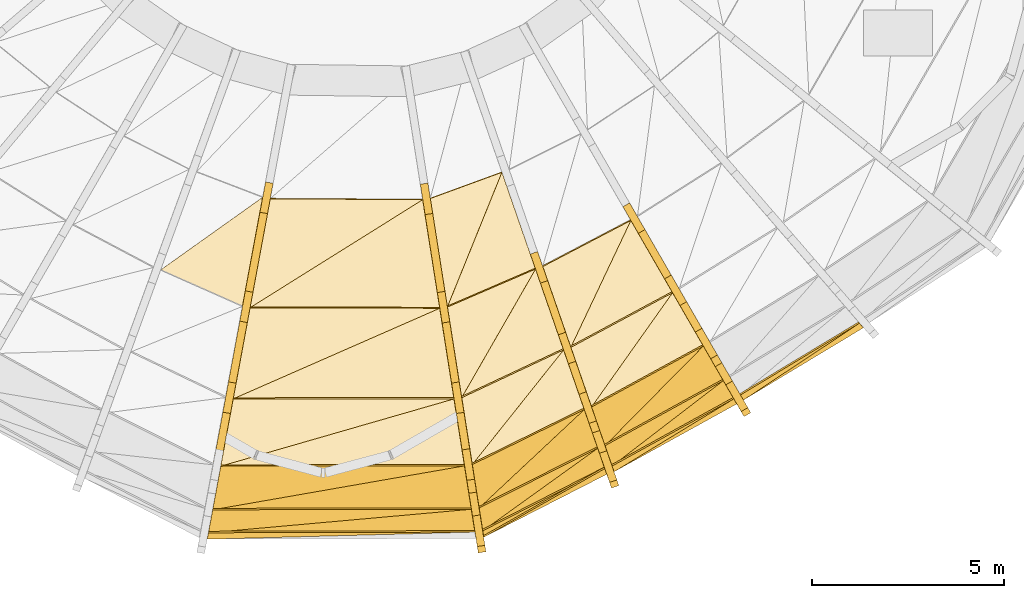
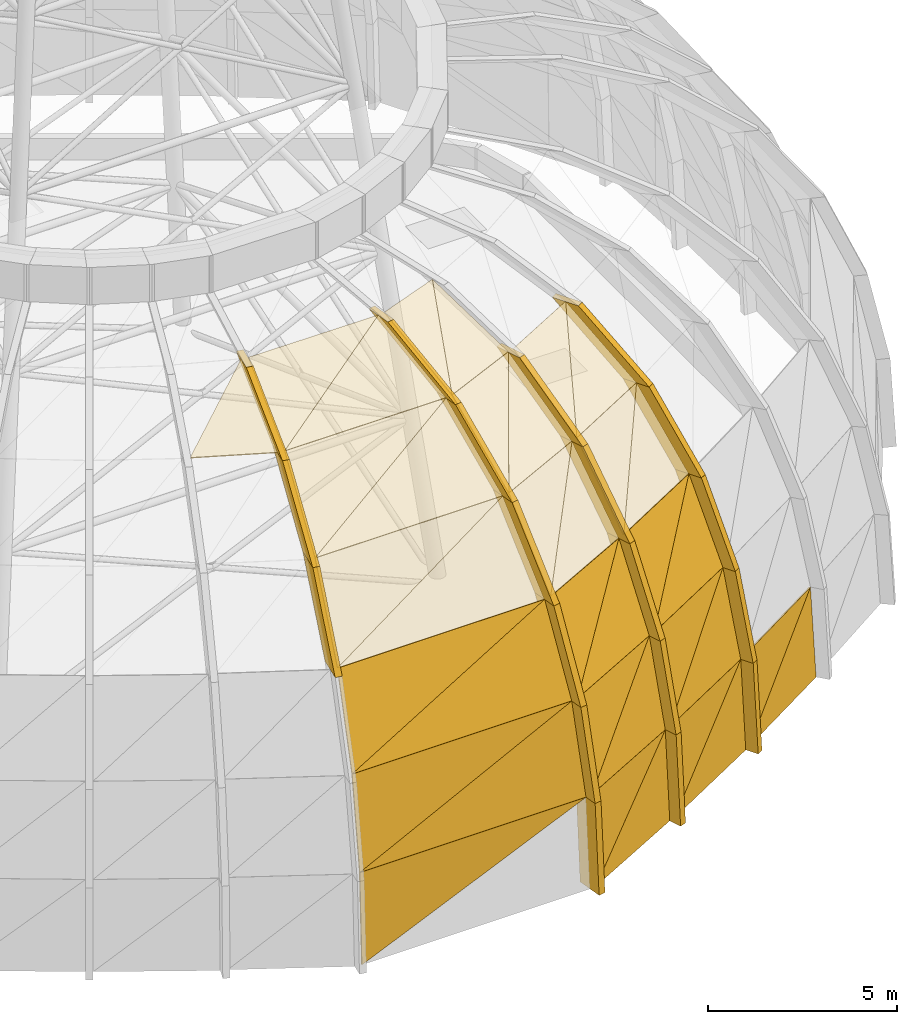
# One storey, part 18 of 27: 36 coverings, 19 shading devices.
"""IFC4 building model written with IfcOpenShell, lengths in metres."""

from ifc_helpers import new_model, si_unit, direction, frame, origin, place, context, subcontext, project, spatial, polyline, outline, extrude, material, layer, layer_set, type_object, element, save


model = new_model("IFC4")

# Units and contexts
model_context = context("Model", 3, precision=1e-05, world=origin(), true_north=direction((0.0, 1.0)))
body_context = subcontext(model_context, "Body", "Model", "MODEL_VIEW")
ifc_project = project(units=[si_unit("LENGTHUNIT", "METRE"), si_unit("AREAUNIT", "SQUARE_METRE"), si_unit("VOLUMEUNIT", "CUBIC_METRE"), si_unit("PLANEANGLEUNIT", "RADIAN"), si_unit("MASSUNIT", "GRAM", prefix="KILO")], contexts=[model_context])

# Site, building, storey
site_placement = place(None, origin())
site = spatial("IfcSite", under=ifc_project, at=site_placement, CompositionType="ELEMENT")
building_placement = place(site_placement, origin())
building = spatial("IfcBuilding", under=site, at=building_placement, Name="Ayvan Gate Tower", CompositionType="ELEMENT")
storey_placement = place(building_placement, frame((0.0, 0.0, 267.699951171875)))
storey = spatial("IfcBuildingStorey", under=building, at=storey_placement, Name="Roof", CompositionType="ELEMENT", Elevation=267.699951171875)

# Shading devices
ifc_material_1 = material(Name="Bronze anodised aluminium", Category="aluminium")
ifc_layer_1 = layer(ifc_material_1, 0.199951171875)
ifc_layer_set_1 = layer_set([ifc_layer_1], Name="Bronze anodised aluminium")
shading_device_type = type_object("IfcShadingDeviceType", Name="Crown frame rib 800 x 200", PredefinedType="USERDEFINED", material=ifc_layer_set_1)
shading_device_1_placement = place(storey_placement, frame((-3.557861328125, -18.63916015625, 8.30712890625), z_axis=(-0.983263546849, 0.182187565943, 0.000698752013), x_axis=(-0.18218761042, -0.98326378689, 0.0)))
element("IfcShadingDevice", 1, at=shading_device_1_placement, inside=storey, type_object=shading_device_type, Name="CROWN FRAME rib FD04.5.5", ObjectType="FIN", PredefinedType="USERDEFINED", context=body_context, shape_type="SweptSolid", body=[
    extrude(outline(polyline([(0.0, 0.0), (0.8000102355421451, 0.0), (-0.9746222670422398, 2.3798833934943113), (-1.774632502584385, 2.3798833934943113), (0.0, 0.0)])), origin(), (0.0, 0.0, -1.0), 0.199951171875),
])
shading_device_2_placement = place(storey_placement, frame((-3.234375, -16.894287109375, 10.68701171875), z_axis=(-0.983263340603, 0.182187527728, 0.000952768287), x_axis=(-0.18218761042, -0.98326378689, 0.0)))
element("IfcShadingDevice", 2, at=shading_device_2_placement, inside=storey, type_object=shading_device_type, Name="CROWN FRAME rib FD05.5.5", ObjectType="FIN", PredefinedType="USERDEFINED", context=body_context, shape_type="SweptSolid", body=[
    extrude(outline(polyline([(0.0, 0.0), (0.8000102355421451, 2.710505431213761e-20), (-1.6038260299516394, 1.8659676438074986), (-2.4038362654937844, 1.8659676438074986), (0.0, 0.0)])), origin(), (0.0, 0.0, -1.0), 0.199951171875),
])
shading_device_3_placement = place(storey_placement, frame((-2.796142578125, -14.53076171875, 12.552978515625), z_axis=(-0.983262319794, 0.182187338584, 0.001727464469), x_axis=(-0.18218761042, -0.98326378689, 0.0)))
element("IfcShadingDevice", 3, at=shading_device_3_placement, inside=storey, type_object=shading_device_type, Name="CROWN FRAME rib FD06.5.5", ObjectType="FIN", PredefinedType="USERDEFINED", context=body_context, shape_type="SweptSolid", body=[
    extrude(outline(polyline([(0.0, 0.0), (0.8000102355421451, 0.0), (-2.0773559263598647, 1.1201188587933482), (-2.87736616190201, 1.1201188587933482), (0.0, 0.0)])), origin(), (0.0, 0.0, -1.0), 0.199951171875),
])
shading_device_4_placement = place(storey_placement, frame((3.131103515625, -20.548828125, 0.0), z_axis=(-0.987861614055, -0.155335669309, 0.000511191543), x_axis=(0.155335689605, -0.987861743127, 0.0)))
element("IfcShadingDevice", 4, at=shading_device_4_placement, inside=storey, type_object=shading_device_type, Name="CROWN FRAME rib FD01.6.1", ObjectType="FIN", PredefinedType="USERDEFINED", context=body_context, shape_type="SweptSolid", body=[
    extrude(outline(polyline([(0.0, 0.0), (0.7999937325470513, 0.0), (0.6319217716779243, 2.870117562504984), (-0.16807196086912696, 2.870117562504984), (0.0, 0.0)])), origin(), (0.0, 0.0, -1.0), 0.199951171875),
])
shading_device_5_placement = place(storey_placement, frame((3.10498046875, -20.3828125, 2.8701171875), z_axis=(-0.987861597069, -0.155335666638, 0.000543788034), x_axis=(0.155335689605, -0.987861743127, 0.0)))
element("IfcShadingDevice", 5, at=shading_device_5_placement, inside=storey, type_object=shading_device_type, Name="CROWN FRAME rib FD02.6.1", ObjectType="FIN", PredefinedType="USERDEFINED", context=body_context, shape_type="SweptSolid", body=[
    extrude(outline(polyline([(0.0, 0.0), (0.7999937325470513, -1.3552527156068805e-20), (0.19943266886675923, 2.7768558793157063), (-0.6005610636802919, 2.7768558793157063), (0.0, 0.0)])), origin(), (0.0, 0.0, -1.0), 0.199951171875),
])
shading_device_6_placement = place(storey_placement, frame((3.01171875, -19.78955078125, 5.64697265625), z_axis=(-0.987861586508, -0.155335664978, 0.000563106294), x_axis=(0.155335689605, -0.987861743127, 0.0)))
element("IfcShadingDevice", 6, at=shading_device_6_placement, inside=storey, type_object=shading_device_type, Name="CROWN FRAME rib FD03.6.1", ObjectType="FIN", PredefinedType="USERDEFINED", context=body_context, shape_type="SweptSolid", body=[
    extrude(outline(polyline([(0.0, 0.0), (0.7999937325470513, 0.0), (-0.33958261514096355, 2.660156671752842), (-1.139576347688015, 2.660156671752842), (0.0, 0.0)])), origin(), (0.0, 0.0, -1.0), 0.199951171875),
])
shading_device_7_placement = place(storey_placement, frame((2.834716796875, -18.663818359375, 8.30712890625), z_axis=(-0.987861599459, -0.155335667014, 0.000539321256), x_axis=(0.155335689605, -0.987861743127, 0.0)))
element("IfcShadingDevice", 7, at=shading_device_7_placement, inside=storey, type_object=shading_device_type, Name="CROWN FRAME rib FD04.6.1", ObjectType="FIN", PredefinedType="USERDEFINED", context=body_context, shape_type="SweptSolid", body=[
    extrude(outline(polyline([(0.0, 0.0), (0.7999937325470513, -1.3552527156068805e-20), (-0.9574675320167366, 2.3798831586152596), (-1.757461264563788, 2.3798831586152596), (0.0, 0.0)])), origin(), (0.0, 0.0, -1.0), 0.199951171875),
])
shading_device_8_placement = place(storey_placement, frame((2.5615234375, -16.927734375, 10.68701171875), z_axis=(-0.987861456655, -0.155335644559, 0.000761567655), x_axis=(0.155335689605, -0.987861743127, 0.0)))
element("IfcShadingDevice", 8, at=shading_device_8_placement, inside=storey, type_object=shading_device_type, Name="CROWN FRAME rib FD05.6.1", ObjectType="FIN", PredefinedType="USERDEFINED", context=body_context, shape_type="SweptSolid", body=[
    extrude(outline(polyline([(0.0, 0.0), (0.7999937325470513, -1.3552527156068805e-20), (-1.5807341944315758, 1.8659673379918855), (-2.380727926978627, 1.8659673379918855), (0.0, 0.0)])), origin(), (0.0, 0.0, -1.0), 0.199951171875),
])
shading_device_9_placement = place(storey_placement, frame((2.191650390625, -14.575927734375, 12.552978515625), z_axis=(-0.987861089672, -0.155335586853, 0.001150204329), x_axis=(0.155335689605, -0.987861743127, 0.0)))
element("IfcShadingDevice", 9, at=shading_device_9_placement, inside=storey, type_object=shading_device_type, Name="CROWN FRAME rib FD06.6.1", ObjectType="FIN", PredefinedType="USERDEFINED", context=body_context, shape_type="SweptSolid", body=[
    extrude(outline(polyline([(0.0, 0.0), (0.7999937325470513, 0.0), (-2.0498276904393697, 1.1201179284414522), (-2.8498214229864214, 1.1201179284414522), (0.0, 0.0)])), origin(), (0.0, 0.0, -1.0), 0.199951171875),
])
shading_device_10_placement = place(storey_placement, frame((6.455078125, -18.900146484375, 0.0), z_axis=(-0.944704387668, -0.327922747391, 0.000540059928), x_axis=(0.327922795239, -0.944704525427, 5.0819e-08)))
element("IfcShadingDevice", 10, at=shading_device_10_placement, inside=storey, type_object=shading_device_type, Name="CROWN FRAME rib FD01.6.2", ObjectType="FIN", PredefinedType="USERDEFINED", context=body_context, shape_type="SweptSolid", body=[
    extrude(outline(polyline([(0.0, 0.0), (0.8001274940440792, 5.421010862427522e-20), (0.6432552695363741, 2.8701175733666124), (-0.15656152447824553, 2.8701176546738445), (0.0, 0.0)])), origin(), (0.0, 0.0, -1.0), 0.199951171875),
])
shading_device_11_placement = place(storey_placement, frame((6.40380859375, -18.752197265625, 2.8701171875), z_axis=(-0.944751671528, -0.327786559593, 0.000500494194), x_axis=(0.32778660066, -0.944751789852, 2.5039e-08)))
element("IfcShadingDevice", 11, at=shading_device_11_placement, inside=storey, type_object=shading_device_type, Name="CROWN FRAME rib FD02.6.2", ObjectType="FIN", PredefinedType="USERDEFINED", context=body_context, shape_type="SweptSolid", body=[
    extrude(outline(polyline([(0.0, 0.0), (0.799816796557489, 0.0), (0.2402939332977462, 2.776855810526871), (-0.5597535155521871, 2.776855850585207), (0.0, 0.0)])), origin(), (0.0, 0.0, -1.0), 0.199951171875),
])
shading_device_12_placement = place(storey_placement, frame((6.22021484375, -18.223388671875, 5.64697265625), z_axis=(-0.94470439685, -0.327922750578, 0.000521752169), x_axis=(0.327922795237, -0.944704525428, 4.9096e-08)))
element("IfcShadingDevice", 12, at=shading_device_12_placement, inside=storey, type_object=shading_device_type, Name="CROWN FRAME rib FD03.6.2", ObjectType="FIN", PredefinedType="USERDEFINED", context=body_context, shape_type="SweptSolid", body=[
    extrude(outline(polyline([(0.0, 0.0), (0.800127494044079, 2.710505431213761e-20), (-0.26234208431563294, 2.6601566249609903), (-1.0621588783302527, 2.6601567035119484), (0.0, 0.0)])), origin(), (0.0, 0.0, -1.0), 0.199951171875),
])
shading_device_13_placement = place(storey_placement, frame((5.871826171875, -17.219970703125, 8.30712890625), z_axis=(-0.944640574882, -0.328106177059, 0.000721707721), x_axis=(0.328106262508, -0.944640820896, 0.0)))
element("IfcShadingDevice", 13, at=shading_device_13_placement, inside=storey, type_object=shading_device_type, Name="CROWN FRAME rib FD04.6.2", ObjectType="FIN", PredefinedType="USERDEFINED", context=body_context, shape_type="SweptSolid", body=[
    extrude(outline(polyline([(0.0, 0.0), (0.7998968683762595, 0.0), (-0.838325956698562, 2.3798834322955447), (-1.6382228250748216, 2.3798834322955447), (0.0, 0.0)])), origin(), (0.0, 0.0, -1.0), 0.199951171875),
])
shading_device_14_placement = place(storey_placement, frame((5.334716796875, -15.67236328125, 10.68701171875), z_axis=(-0.944735200089, -0.327833798028, 0.000634493942), x_axis=(0.327833864018, -0.944735390256, 0.0)))
element("IfcShadingDevice", 14, at=shading_device_14_placement, inside=storey, type_object=shading_device_type, Name="CROWN FRAME rib FD05.6.2", ObjectType="FIN", PredefinedType="USERDEFINED", context=body_context, shape_type="SweptSolid", body=[
    extrude(outline(polyline([(0.0, 0.0), (0.7998167975583688, 0.0), (-1.4191024595158588, 1.86596717247796), (-2.2189192570742278, 1.86596717247796), (0.0, 0.0)])), origin(), (0.0, 0.0, -1.0), 0.199951171875),
])
shading_device_15_placement = place(storey_placement, frame((9.760498046875, -17.10546875, 0.0), z_axis=(-0.866027914548, -0.499995326986, 0.000569399865), x_axis=(0.499995408002, -0.866028054959, -7.5244e-08)))
element("IfcShadingDevice", 15, at=shading_device_15_placement, inside=storey, type_object=shading_device_type, Name="CROWN FRAME rib FD01.6.3", ObjectType="FIN", PredefinedType="USERDEFINED", context=body_context, shape_type="SweptSolid", body=[
    extrude(outline(polyline([(0.0, 0.0), (0.7999951411822004, -5.421010862427522e-20), (0.6470774671506763, 2.8701177014580885), (-0.15303974322293096, 2.8701175810591923), (0.0, 0.0)])), origin(), (0.0, 0.0, -1.0), 0.199951171875),
])
shading_device_16_placement = place(storey_placement, frame((9.68408203125, -16.97314453125, 2.8701171875), z_axis=(-0.865989764303, -0.500061402224, 0.000567564342), x_axis=(0.50006148275, -0.865989903792, -3.1699e-08)))
element("IfcShadingDevice", 16, at=shading_device_16_placement, inside=storey, type_object=shading_device_type, Name="CROWN FRAME rib FD02.6.3", ObjectType="FIN", PredefinedType="USERDEFINED", context=body_context, shape_type="SweptSolid", body=[
    extrude(outline(polyline([(0.0, 0.0), (0.7997837074713673, -2.710505431213761e-20), (0.2540749299279311, 2.7768559240573194), (-0.5460422861827287, 2.776855873341688), (0.0, 0.0)])), origin(), (0.0, 0.0, -1.0), 0.199951171875),
])
shading_device_17_placement = place(storey_placement, frame((9.4111328125, -16.50048828125, 5.64697265625), z_axis=(-0.865923635317, -0.500175802039, 0.000651807972), x_axis=(0.500175908318, -0.865923819247, 4.9752e-08)))
element("IfcShadingDevice", 17, at=shading_device_17_placement, inside=storey, type_object=shading_device_type, Name="CROWN FRAME rib FD03.6.3", ObjectType="FIN", PredefinedType="USERDEFINED", context=body_context, shape_type="SweptSolid", body=[
    extrude(outline(polyline([(0.0, 0.0), (0.7999058078455129, 8.131516293641283e-20), (-0.23582992537429517, 2.660156826821801), (-1.0359471404022413, 2.6601569064267143), (0.0, 0.0)])), origin(), (0.0, 0.0, -1.0), 0.199951171875),
])
shading_device_18_placement = place(storey_placement, frame((8.893310546875, -15.603271484375, 8.30712890625), z_axis=(-0.86605582405, -0.499946939134, 0.000606365416), x_axis=(0.49994703102, -0.866055983279, -4.6257e-08)))
element("IfcShadingDevice", 18, at=shading_device_18_placement, inside=storey, type_object=shading_device_type, Name="CROWN FRAME rib FD04.6.3", ObjectType="FIN", PredefinedType="USERDEFINED", context=body_context, shape_type="SweptSolid", body=[
    extrude(outline(polyline([(0.0, 0.0), (0.7999951458393761, -2.710505431213761e-20), (-0.797506045426064, 2.3798832131260625), (-1.5972897518163973, 2.379883139124469), (0.0, 0.0)])), origin(), (0.0, 0.0, -1.0), 0.199951171875),
])
shading_device_19_placement = place(storey_placement, frame((8.094482421875, -14.219970703125, 10.68701171875), z_axis=(-0.865961557338, -0.500109581563, 0.000993801393), x_axis=(0.500109828528, -0.865961984968, 0.0)))
element("IfcShadingDevice", 19, at=shading_device_19_placement, inside=storey, type_object=shading_device_type, Name="CROWN FRAME rib FD05.6.3", ObjectType="FIN", PredefinedType="USERDEFINED", context=body_context, shape_type="SweptSolid", body=[
    extrude(outline(polyline([(0.0, 0.0), (0.8001172173575528, 0.0), (-1.3637519680999892, 1.8659677183285341), (-2.1638691854575423, 1.8659677183285341), (0.0, 0.0)])), origin(), (0.0, 0.0, -1.0), 0.199951171875),
])

# Coverings
ifc_material_2 = material(Name="Pale metal cladding")
ifc_layer_2 = layer(ifc_material_2, 0.0400390625)
ifc_layer_set_2 = layer_set([ifc_layer_2], Name="Pale metal cladding")
covering_type = type_object("IfcCoveringType", Name="Dome cladding panel 40", PredefinedType="CLADDING", material=ifc_layer_set_2)
covering_1_placement = place(storey_placement, frame((-4.99755859375, -13.98876953125, 12.571533203125), z_axis=(-0.150547626833, -0.339678203377, 0.928414848118), x_axis=(0.914231058187, -0.405193252962, 0.0)))
element("IfcCovering", 20, at=covering_1_placement, inside=storey, type_object=covering_type, Name="Dome cladding panel 7.6A", PredefinedType="CLADDING", context=body_context, shape_type="SweptSolid", body=[
    extrude(outline(polyline([(0.0, 0.0), (2.3251588346719334, 0.0), (1.6582615928890547, 3.014753114688331), (0.0, 0.0)])), origin(), (0.0, 0.0, -1.0), 0.0400390625),
])
covering_2_placement = place(storey_placement, frame((-3.785400390625, -20.9833984375, 0.001220703125), z_axis=(0.002676150443, -0.998309752611, 0.058055801266), x_axis=(0.924056486039, 0.024660542503, 0.381459654817)))
element("IfcCovering", 21, at=covering_2_placement, inside=storey, type_object=covering_type, Name="Dome cladding panel 8.1B", PredefinedType="CLADDING", context=body_context, shape_type="SweptSolid", body=[
    extrude(outline(polyline([(0.0, 0.0), (7.524038653257701, 4.440892098500626e-16), (1.1276031950256638, 2.644793273311252), (0.0, 0.0)])), origin(), (0.0, 0.0, -1.0), 0.0400390625),
])
covering_3_placement = place(storey_placement, frame((-3.75439453125, -20.81591796875, 2.874267578125), z_axis=(0.002621510209, -0.977926788449, 0.208931386148), x_axis=(0.999996406993, 0.002680671826, 0.0)))
element("IfcCovering", 22, at=covering_3_placement, inside=storey, type_object=covering_type, Name="Dome cladding panel 8.2A", PredefinedType="CLADDING", context=body_context, shape_type="SweptSolid", body=[
    extrude(outline(polyline([(0.0, 0.0), (6.921655728933686, -4.336808689942018e-19), (6.829984030787558, 2.839522880738105), (0.0, 0.0)])), origin(), (0.0, 0.0, -1.0), 0.0400390625),
])
covering_4_placement = place(storey_placement, frame((-3.75439453125, -20.81591796875, 2.874267578125), z_axis=(0.002274174738, -0.977753001532, 0.209747219587), x_axis=(0.923160883474, 0.082681469237, 0.375416778885)))
element("IfcCovering", 23, at=covering_4_placement, inside=storey, type_object=covering_type, Name="Dome cladding panel 8.2B", PredefinedType="CLADDING", context=body_context, shape_type="SweptSolid", body=[
    extrude(outline(polyline([(0.0, 0.0), (7.3967271175194975, 0.0), (1.1938495580223474, 2.579347607456633), (0.0, 0.0)])), origin(), (0.0, 0.0, -1.0), 0.0400390625),
])
covering_5_placement = place(storey_placement, frame((-3.643798828125, -20.21875, 5.65478515625), z_axis=(0.002141890181, -0.920878909854, 0.389842847431), x_axis=(0.99999729506, 0.002325913174, 0.0)))
element("IfcCovering", 24, at=covering_5_placement, inside=storey, type_object=covering_type, Name="Dome cladding panel 8.3A", PredefinedType="CLADDING", context=body_context, shape_type="SweptSolid", body=[
    extrude(outline(polyline([(0.0, 0.0), (6.717791608721245, 0.0), (6.543164350281191, 2.8887066757346544), (0.0, 0.0)])), origin(), (0.0, 0.0, -1.0), 0.0400390625),
])
covering_6_placement = place(storey_placement, frame((-3.643798828125, -20.21875, 5.65478515625), z_axis=(0.001419524989, -0.920242562126, 0.391345897897), x_axis=(0.914444968084, 0.159575596334, 0.371922074365)))
element("IfcCovering", 25, at=covering_6_placement, inside=storey, type_object=covering_type, Name="Dome cladding panel 8.3B", PredefinedType="CLADDING", context=body_context, shape_type="SweptSolid", body=[
    extrude(outline(polyline([(0.0, 0.0), (7.152455939970874, -4.440892098500626e-16), (1.3617197360539735, 2.5586386545390614), (0.0, 0.0)])), origin(), (0.0, 0.0, -1.0), 0.0400390625),
])
covering_7_placement = place(storey_placement, frame((-3.43408203125, -19.0849609375, 8.31884765625), z_axis=(0.001246041767, -0.807777726678, 0.589485870622), x_axis=(0.999998810264, 0.001542553408, 0.0)))
element("IfcCovering", 26, at=covering_7_placement, inside=storey, type_object=covering_type, Name="Dome cladding panel 8.4A", PredefinedType="CLADDING", context=body_context, shape_type="SweptSolid", body=[
    extrude(outline(polyline([(0.0, 0.0), (6.330818078878541, 0.0), (6.060547563731913, 2.9462064903121674), (0.0, 0.0)])), origin(), (0.0, 0.0, -1.0), 0.0400390625),
])
covering_8_placement = place(storey_placement, frame((-3.43408203125, -19.0849609375, 8.31884765625), z_axis=(0.000171678432, -0.806476601398, 0.591265982383), x_axis=(0.898962984987, 0.259113499723, 0.353165323728)))
element("IfcCovering", 27, at=covering_8_placement, inside=storey, type_object=covering_type, Name="Dome cladding panel 8.4B", PredefinedType="CLADDING", context=body_context, shape_type="SweptSolid", body=[
    extrude(outline(polyline([(0.0, 0.0), (6.738721648489005, -2.220446049250313e-16), (1.5834144807929453, 2.5111483702566755), (0.0, 0.0)])), origin(), (0.0, 0.0, -1.0), 0.0400390625),
])
covering_9_placement = place(storey_placement, frame((-3.110595703125, -17.33642578125, 10.70263671875), z_axis=(0.000132308711, -0.621533400711, 0.783387652631), x_axis=(0.999999977342, 0.000212874655, 0.0)))
element("IfcCovering", 28, at=covering_9_placement, inside=storey, type_object=covering_type, Name="Dome cladding panel 8.5A", PredefinedType="CLADDING", context=body_context, shape_type="SweptSolid", body=[
    extrude(outline(polyline([(0.0, 0.0), (5.734375129928379, 0.0), (5.36475859084068, 3.0021986790423343), (0.0, 0.0)])), origin(), (0.0, 0.0, -1.0), 0.0400390625),
])
covering_10_placement = place(storey_placement, frame((-3.110595703125, -17.33642578125, 10.70263671875), z_axis=(-0.001289623239, -0.619541145113, 0.784963124219), x_axis=(0.87256779586, 0.382751156767, 0.303524288356)))
element("IfcCovering", 29, at=covering_10_placement, inside=storey, type_object=covering_type, Name="Dome cladding panel 8.5B", PredefinedType="CLADDING", context=body_context, shape_type="SweptSolid", body=[
    extrude(outline(polyline([(0.0, 0.0), (6.1476687977185644, 0.0), (1.8533023747511552, 2.413347947761712), (0.0, 0.0)])), origin(), (0.0, 0.0, -1.0), 0.0400390625),
])
covering_11_placement = place(storey_placement, frame((-2.67236328125, -14.968017578125, 12.571533203125), z_axis=(-0.00076982429, -0.369827254689, 0.929100214756), x_axis=(0.999997833523, -0.002081573525, 0.0)))
element("IfcCovering", 30, at=covering_11_placement, inside=storey, type_object=covering_type, Name="Dome cladding panel 8.6A", PredefinedType="CLADDING", context=body_context, shape_type="SweptSolid", body=[
    extrude(outline(polyline([(0.0, 0.0), (4.926036062766448, -1.734723475976807e-18), (4.477306420981424, 3.0287512523507845), (0.0, 0.0)])), origin(), (0.0, 0.0, -1.0), 0.0400390625),
])
covering_12_placement = place(storey_placement, frame((-2.67236328125, -14.968017578125, 12.571533203125), z_axis=(-0.002290645188, -0.367727931457, 0.929930600298), x_axis=(0.829366523434, 0.518856538758, 0.207217426865)))
element("IfcCovering", 31, at=covering_12_placement, inside=storey, type_object=covering_type, Name="Dome cladding panel 8.6B", PredefinedType="CLADDING", context=body_context, shape_type="SweptSolid", body=[
    extrude(outline(polyline([(0.0, 0.0), (5.405516343142248, -1.1102230246251565e-16), (2.1352662697690294, 2.230642017182009), (0.0, 0.0)])), origin(), (0.0, 0.0, -1.0), 0.0400390625),
])
covering_13_placement = place(storey_placement, frame((3.39990234375, -20.930908203125, 0.0009765625), z_axis=(0.45482783693, -0.888941549587, 0.053986666608), x_axis=(0.890239825021, 0.455492100861, 0.0)))
element("IfcCovering", 32, at=covering_13_placement, inside=storey, type_object=covering_type, Name="Dome cladding panel 9.1A", PredefinedType="CLADDING", context=body_context, shape_type="SweptSolid", body=[
    extrude(outline(polyline([(0.0, 0.0), (3.589545817667139, 0.0), (3.611075995900087, 2.8743089171358998), (0.0, 0.0)])), origin(), (0.0, 0.0, -1.0), 0.0400390625),
])
covering_14_placement = place(storey_placement, frame((3.39990234375, -20.930908203125, 0.001220703125), z_axis=(0.453602919792, -0.889464499169, 0.055653354572), x_axis=(0.681213364047, 0.386310079021, 0.62186242489)))
element("IfcCovering", 33, at=covering_14_placement, inside=storey, type_object=covering_type, Name="Dome cladding panel 9.1B", PredefinedType="CLADDING", context=body_context, shape_type="SweptSolid", body=[
    extrude(outline(polyline([(0.0, 0.0), (4.615357147533954, 0.0), (1.831250488493694, 2.216397762500728), (0.0, 0.0)])), origin(), (0.0, 0.0, -1.0), 0.0400390625),
])
covering_15_placement = place(storey_placement, frame((3.37353515625, -20.764404296875, 2.8740234375), z_axis=(0.445511716452, -0.873598556046, 0.195818470474), x_axis=(0.89084517463, 0.454307027062, 0.0)))
element("IfcCovering", 34, at=covering_15_placement, inside=storey, type_object=covering_type, Name="Dome cladding panel 9.2A", PredefinedType="CLADDING", context=body_context, shape_type="SweptSolid", body=[
    extrude(outline(polyline([(0.0, 0.0), (3.558604913520262, 0.0), (3.635292767351947, 2.831676263499129), (0.0, 0.0)])), origin(), (0.0, 0.0, -1.0), 0.0400390625),
])
covering_16_placement = place(storey_placement, frame((3.37353515625, -20.764404296875, 2.874267578125), z_axis=(0.44082387744, -0.8746450478, 0.201668910439), x_axis=(0.648126441395, 0.465604117304, 0.602615069438)))
element("IfcCovering", 35, at=covering_16_placement, inside=storey, type_object=covering_type, Name="Dome cladding panel 9.2B", PredefinedType="CLADDING", context=body_context, shape_type="SweptSolid", body=[
    extrude(outline(polyline([(0.0, 0.0), (4.608008676817543, 0.0), (1.8891546641164247, 2.1219514990904833), (0.0, 0.0)])), origin(), (0.0, 0.0, -1.0), 0.0400390625),
])
covering_17_placement = place(storey_placement, frame((3.27978515625, -20.170166015625, 5.654296875), z_axis=(0.418486341402, -0.830324818621, 0.36800798584), x_axis=(0.892992698031, 0.450071151334, 0.0)))
element("IfcCovering", 36, at=covering_17_placement, inside=storey, type_object=covering_type, Name="Dome cladding panel 9.3A", PredefinedType="CLADDING", context=body_context, shape_type="SweptSolid", body=[
    extrude(outline(polyline([(0.0, 0.0), (3.4488904457627125, 0.0), (3.58939138616637, 2.860928703561302), (0.0, 0.0)])), origin(), (0.0, 0.0, -1.0), 0.0400390625),
])
covering_18_placement = place(storey_placement, frame((3.279541015625, -20.170166015625, 5.654541015625), z_axis=(0.408319378905, -0.83058171082, 0.378694212342), x_axis=(0.595078448082, 0.556782373483, 0.579547262272)))
element("IfcCovering", 37, at=covering_18_placement, inside=storey, type_object=covering_type, Name="Dome cladding panel 9.3B", PredefinedType="CLADDING", context=body_context, shape_type="SweptSolid", body=[
    extrude(outline(polyline([(0.0, 0.0), (4.590059212030526, 2.220446049250313e-16), (2.0629989112645335, 2.029570503812469), (0.0, 0.0)])), origin(), (0.0, 0.0, -1.0), 0.0400390625),
])
covering_19_placement = place(storey_placement, frame((3.1015625, -19.042724609375, 8.318359375), z_axis=(0.364287107395, -0.74101359015, 0.564086662313), x_axis=(0.897419884193, 0.441177460275, 0.0)))
element("IfcCovering", 38, at=covering_19_placement, inside=storey, type_object=covering_type, Name="Dome cladding panel 9.4A", PredefinedType="CLADDING", context=body_context, shape_type="SweptSolid", body=[
    extrude(outline(polyline([(0.0, 0.0), (3.241171114528375, -1.1102230246251565e-16), (3.4419279933027367, 2.8822064620379235), (0.0, 0.0)])), origin(), (0.0, 0.0, -1.0), 0.0400390625),
])
covering_20_placement = place(storey_placement, frame((3.10107421875, -19.04248046875, 8.318603515625), z_axis=(0.346645836373, -0.738420393233, 0.578421980031), x_axis=(0.528272147535, 0.663249651157, 0.530121154434)))
element("IfcCovering", 39, at=covering_20_placement, inside=storey, type_object=covering_type, Name="Dome cladding panel 9.4B", PredefinedType="CLADDING", context=body_context, shape_type="SweptSolid", body=[
    extrude(outline(polyline([(0.0, 0.0), (4.489318701194444, 2.220446049250313e-16), (2.268891851039407, 1.8985417683947583), (0.0, 0.0)])), origin(), (0.0, 0.0, -1.0), 0.0400390625),
])
covering_21_placement = place(storey_placement, frame((2.82666015625, -17.303466796875, 10.702392578125), z_axis=(0.274363489935, -0.584445491244, 0.763641370772), x_axis=(0.905217919128, 0.42494766606, 0.0)))
element("IfcCovering", 40, at=covering_21_placement, inside=storey, type_object=covering_type, Name="Dome cladding panel 9.5A", PredefinedType="CLADDING", context=body_context, shape_type="SweptSolid", body=[
    extrude(outline(polyline([(0.0, 0.0), (2.921430513161132, -1.1102230246251565e-16), (3.153503509142459, 2.890101140882126), (0.0, 0.0)])), origin(), (0.0, 0.0, -1.0), 0.0400390625),
])
covering_22_placement = place(storey_placement, frame((2.826171875, -17.30322265625, 10.70263671875), z_axis=(0.249089854515, -0.577612175633, 0.777379198936), x_axis=(0.448096852182, 0.780331188769, 0.436225224968)))
element("IfcCovering", 41, at=covering_22_placement, inside=storey, type_object=covering_type, Name="Dome cladding panel 9.5B", PredefinedType="CLADDING", context=body_context, shape_type="SweptSolid", body=[
    extrude(outline(polyline([(0.0, 0.0), (4.277530711368647, -1.1102230246251565e-16), (2.48343090937308, 1.7269057736607372), (0.0, 0.0)])), origin(), (0.0, 0.0, -1.0), 0.0400390625),
])
covering_23_placement = place(storey_placement, frame((2.45458984375, -14.947021484375, 12.5712890625), z_axis=(0.154216522288, -0.357611276987, 0.921049096859), x_axis=(0.918255254295, 0.395988999797, 0.0)))
element("IfcCovering", 42, at=covering_23_placement, inside=storey, type_object=covering_type, Name="Dome cladding panel 9.6A", PredefinedType="CLADDING", context=body_context, shape_type="SweptSolid", body=[
    extrude(outline(polyline([(0.0, 0.0), (2.4901802446054626, 1.1102230246251565e-16), (2.6839400572488934, 2.8761774559097377), (0.0, 0.0)])), origin(), (0.0, 0.0, -1.0), 0.0400390625),
])
covering_24_placement = place(storey_placement, frame((2.453857421875, -14.947021484375, 12.571533203125), z_axis=(0.12782132508, -0.349237590277, 0.928275182471), x_axis=(0.35982378768, 0.888512792035, 0.284731206947)))
element("IfcCovering", 43, at=covering_24_placement, inside=storey, type_object=covering_type, Name="Dome cladding panel 9.6B", PredefinedType="CLADDING", context=body_context, shape_type="SweptSolid", body=[
    extrude(outline(polyline([(0.0, 0.0), (3.9339459819357723, -5.551115123125783e-17), (2.660905134662199, 1.5151405370705622), (0.0, 0.0)])), origin(), (0.0, 0.0, -1.0), 0.0400390625),
])
covering_25_placement = place(storey_placement, frame((6.78515625, -19.230224609375, 0.0009765625), z_axis=(0.483121933194, -0.873933546929, 0.053229251537), x_axis=(0.875174265312, 0.483807818598, 0.0)))
element("IfcCovering", 44, at=covering_25_placement, inside=storey, type_object=covering_type, Name="Dome cladding panel 10.1A", PredefinedType="CLADDING", context=body_context, shape_type="SweptSolid", body=[
    extrude(outline(polyline([(0.0, 0.0), (3.6393421516069373, -1.3877787807814457e-17), (3.6366024300386, 2.874191876207992), (0.0, 0.0)])), origin(), (0.0, 0.0, -1.0), 0.0400390625),
])
covering_26_placement = place(storey_placement, frame((6.78515625, -19.230224609375, 0.0009765625), z_axis=(0.482713365473, -0.874124482748, 0.053797727215), x_axis=(0.670647730064, 0.408456227649, 0.619189092487)))
element("IfcCovering", 45, at=covering_26_placement, inside=storey, type_object=covering_type, Name="Dome cladding panel 10.1B", PredefinedType="CLADDING", context=body_context, shape_type="SweptSolid", body=[
    extrude(outline(polyline([(0.0, 0.0), (4.635283829003643, 0.0), (1.8031282300818265, 2.238507580067082), (0.0, 0.0)])), origin(), (0.0, 0.0, -1.0), 0.0400390625),
])
covering_27_placement = place(storey_placement, frame((6.7333984375, -19.08154296875, 2.8740234375), z_axis=(0.474340666743, -0.858962729479, 0.192831432187), x_axis=(0.875392178685, 0.483413418822, 0.0)))
element("IfcCovering", 46, at=covering_27_placement, inside=storey, type_object=covering_type, Name="Dome cladding panel 10.2A", PredefinedType="CLADDING", context=body_context, shape_type="SweptSolid", body=[
    extrude(outline(polyline([(0.0, 0.0), (3.609989130526846, 0.0), (3.5995398929953115, 2.829968606617765), (0.0, 0.0)])), origin(), (0.0, 0.0, -1.0), 0.0400390625),
])
covering_28_placement = place(storey_placement, frame((6.7333984375, -19.08154296875, 2.8740234375), z_axis=(0.472681110972, -0.85940777881, 0.19491238301), x_axis=(0.630559755725, 0.484356910283, 0.606459213733)))
element("IfcCovering", 47, at=covering_28_placement, inside=storey, type_object=covering_type, Name="Dome cladding panel 10.2B", PredefinedType="CLADDING", context=body_context, shape_type="SweptSolid", body=[
    extrude(outline(polyline([(0.0, 0.0), (4.57880003447484, 0.0), (1.8244148506764433, 2.166975297695142), (0.0, 0.0)])), origin(), (0.0, 0.0, -1.0), 0.0400390625),
])
covering_29_placement = place(storey_placement, frame((6.54931640625, -18.552001953125, 5.654296875), z_axis=(0.449099319962, -0.81653241493, 0.362745938885), x_axis=(0.876212967064, 0.48192409812, 0.0)))
element("IfcCovering", 48, at=covering_29_placement, inside=storey, type_object=covering_type, Name="Dome cladding panel 10.3A", PredefinedType="CLADDING", context=body_context, shape_type="SweptSolid", body=[
    extrude(outline(polyline([(0.0, 0.0), (3.5046283228823385, 1.1102230246251565e-16), (3.4831784775085026, 2.8545877151323777), (0.0, 0.0)])), origin(), (0.0, 0.0, -1.0), 0.0400390625),
])
covering_30_placement = place(storey_placement, frame((6.549072265625, -18.552001953125, 5.654296875), z_axis=(0.445530713271, -0.816829218838, 0.366459289396), x_axis=(0.566891963774, 0.574210546074, 0.590690909179)))
element("IfcCovering", 49, at=covering_30_placement, inside=storey, type_object=covering_type, Name="Dome cladding panel 10.3B", PredefinedType="CLADDING", context=body_context, shape_type="SweptSolid", body=[
    extrude(outline(polyline([(0.0, 0.0), (4.503465702052493, 0.0), (1.950004555289973, 2.0981267348431607), (0.0, 0.0)])), origin(), (0.0, 0.0, -1.0), 0.0400390625),
])
covering_31_placement = place(storey_placement, frame((6.199951171875, -17.546875, 8.318359375), z_axis=(0.397622455537, -0.728994949337, 0.557191840117), x_axis=(0.877901219162, 0.478841779082, 0.0)))
element("IfcCovering", 50, at=covering_31_placement, inside=storey, type_object=covering_type, Name="Dome cladding panel 10.4A", PredefinedType="CLADDING", context=body_context, shape_type="SweptSolid", body=[
    extrude(outline(polyline([(0.0, 0.0), (3.3048902589177422, 0.0), (3.2659802811783454, 2.866003426299959), (0.0, 0.0)])), origin(), (0.0, 0.0, -1.0), 0.0400390625),
])
covering_32_placement = place(storey_placement, frame((6.19970703125, -17.546875, 8.318359375), z_axis=(0.391436797314, -0.72856165477, 0.562116668412), x_axis=(0.483878298487, 0.682553828381, 0.547706183657)))
element("IfcCovering", 51, at=covering_32_placement, inside=storey, type_object=covering_type, Name="Dome cladding panel 10.4B", PredefinedType="CLADDING", context=body_context, shape_type="SweptSolid", body=[
    extrude(outline(polyline([(0.0, 0.0), (4.345181565436465, -4.440892098500626e-16), (2.0999063329397485, 1.98439179777279), (0.0, 0.0)])), origin(), (0.0, 0.0, -1.0), 0.0400390625),
])
covering_33_placement = place(storey_placement, frame((5.660888671875, -15.99609375, 10.7021484375), z_axis=(0.30916650907, -0.575436098479, 0.75715874573), x_axis=(0.880907626369, 0.47328823544, 0.0)))
element("IfcCovering", 52, at=covering_33_placement, inside=storey, type_object=covering_type, Name="Dome cladding panel 10.5A", PredefinedType="CLADDING", context=body_context, shape_type="SweptSolid", body=[
    extrude(outline(polyline([(0.0, 0.0), (2.9965099160074726, 1.1102230246251565e-16), (2.9305086471590123, 2.856519405475758), (0.0, 0.0)])), origin(), (0.0, 0.0, -1.0), 0.0400390625),
])
covering_34_placement = place(storey_placement, frame((5.660888671875, -15.99609375, 10.7021484375), z_axis=(0.300321261755, -0.573914605542, 0.761859019296), x_axis=(0.380673560112, 0.804479385379, 0.455961137742)))
element("IfcCovering", 53, at=covering_34_placement, inside=storey, type_object=covering_type, Name="Dome cladding panel 10.5B", PredefinedType="CLADDING", context=body_context, shape_type="SweptSolid", body=[
    extrude(outline(polyline([(0.0, 0.0), (4.092381219404336, 1.1102230246251565e-16), (2.26010329490724, 1.815888759196615), (0.0, 0.0)])), origin(), (0.0, 0.0, -1.0), 0.0400390625),
])
covering_35_placement = place(storey_placement, frame((10.14404296875, -17.368896484375, 0.0009765625), z_axis=(0.515309031273, -0.855320553792, 0.053696857921), x_axis=(0.856556322152, 0.516053550498, 0.0)))
element("IfcCovering", 54, at=covering_35_placement, inside=storey, type_object=covering_type, Name="Dome cladding panel 11.1A", PredefinedType="CLADDING", context=body_context, shape_type="SweptSolid", body=[
    extrude(outline(polyline([(0.0, 0.0), (3.6394940531100746, 0.0), (3.612768544488973, 2.874263936919768), (0.0, 0.0)])), origin(), (0.0, 0.0, -1.0), 0.0400390625),
])
covering_36_placement = place(storey_placement, frame((10.14404296875, -17.368896484375, 0.0009765625), z_axis=(0.515693823426, -0.85512247148, 0.05315486103), x_axis=(0.653047183259, 0.432473873568, 0.621687803579)))
element("IfcCovering", 55, at=covering_36_placement, inside=storey, type_object=covering_type, Name="Dome cladding panel 11.1B", PredefinedType="CLADDING", context=body_context, shape_type="SweptSolid", body=[
    extrude(outline(polyline([(0.0, 0.0), (4.616653521234456, 0.0), (1.7916403540001762, 2.247431115343212), (0.0, 0.0)])), origin(), (0.0, 0.0, -1.0), 0.0400390625),
])

save(model, "model.ifc")
